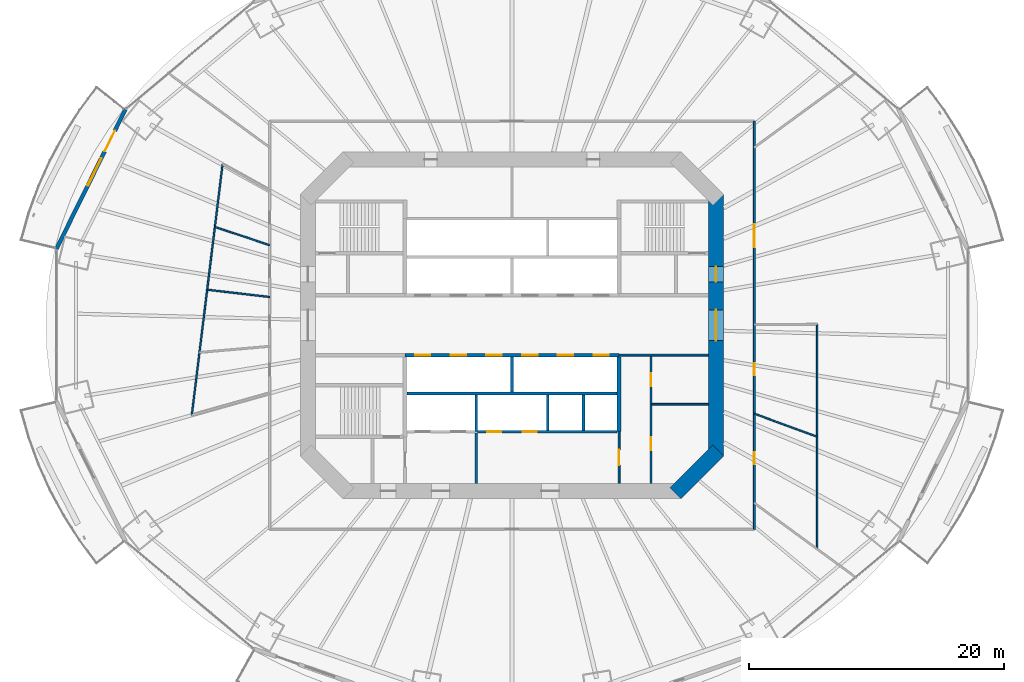
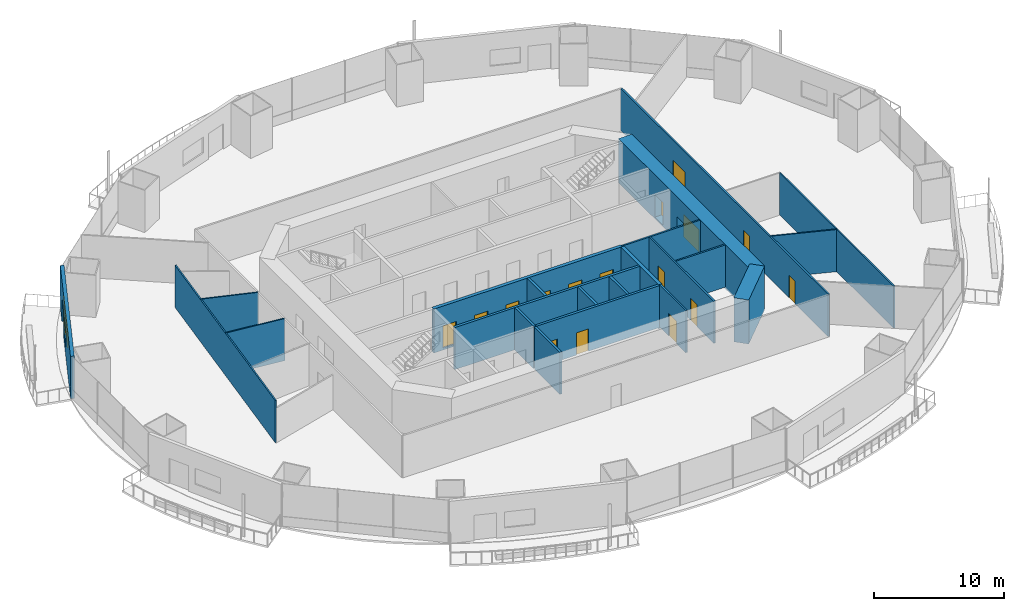
# One storey, part 15 of 23: 22 walls, 17 doors, 1 window, 18 openings.
"""IFC4 building model written with IfcOpenShell, lengths in metres."""

from ifc_helpers import new_model, si_unit, direction, frame, frame_2d, origin, place, context, subcontext, project, spatial, rectangle, extrude, material, layer, layer_set, type_object, element, fill, save


model = new_model("IFC4")

# Units and contexts
model_context = context("Model", 3, precision=1e-05, world=origin(), true_north=direction((0.0, 1.0)))
body_context = subcontext(model_context, "Body", "Model", "MODEL_VIEW")
ifc_project = project(units=[si_unit("LENGTHUNIT", "METRE"), si_unit("AREAUNIT", "SQUARE_METRE"), si_unit("VOLUMEUNIT", "CUBIC_METRE"), si_unit("PLANEANGLEUNIT", "RADIAN"), si_unit("MASSUNIT", "GRAM", prefix="KILO")], contexts=[model_context])

# Site, building, storey
site_placement = place(None, origin())
site = spatial("IfcSite", under=ifc_project, at=site_placement, CompositionType="ELEMENT")
building_placement = place(site_placement, origin())
building = spatial("IfcBuilding", under=site, at=building_placement, Name="Marenthal Gate Tower", CompositionType="ELEMENT")
storey_placement = place(building_placement, frame((0.0, 0.0, 49.60009765625)))
storey = spatial("IfcBuildingStorey", under=building, at=storey_placement, Name="L08", CompositionType="ELEMENT", Elevation=49.60009765625)

# Wall
ifc_material_1 = material(Name="Concrete 60 MPa", Category="concrete")
ifc_layer_1 = layer(ifc_material_1, 1.199951171875)
ifc_layer_set_1 = layer_set([ifc_layer_1], Name="Core shear wall 1200")
wall_type_1 = type_object("IfcWallType", Name="Core shear wall 1200", PredefinedType="SHEAR", material=ifc_layer_set_1)
wall_1_placement = place(storey_placement, frame((12.82421875, -13.17578125, -0.18017578125), z_axis=(0.0, 0.0, 1.0), x_axis=(0.707106781187, 0.707106781187, 0.0)))
element("IfcWall", 1, at=wall_1_placement, inside=storey, type_object=wall_type_1, Name="Core wall 01", PredefinedType="SHEAR", context=body_context, shape_type="SweptSolid", body=[
    extrude(rectangle(XDim=4.73974609375, YDim=1.199951171875, at=frame_2d((2.369873046875, 0.0))), origin(), (0.0, 0.0, 1.0), 4.150146484375),
])

# Wall, openings, doors
wall_2_placement = place(storey_placement, frame((16.0, -10.24853515625, -0.18017578125), z_axis=(0.0, 0.0, 1.0), x_axis=(0.0, 1.0, 0.0)))
wall_2 = element("IfcWall", 2, at=wall_2_placement, inside=storey, type_object=wall_type_1, Name="Core wall 02", PredefinedType="SHEAR", context=body_context, shape_type="SweptSolid", body=[
    extrude(rectangle(XDim=20.4970703125, YDim=1.199951171875, at=frame_2d((10.24853515625, 0.0))), origin(), (0.0, 0.0, 1.0), 4.150146484375),
])
opening_1_placement = place(wall_2_placement, frame((9.048583984375, 0.0, 0.179931640625)))
opening_1 = element("IfcOpeningElement", 3, at=opening_1_placement, cuts=wall_2, Name="Opening D003.02", PredefinedType="OPENING", context=body_context, shape_type="SweptSolid", body=[
    extrude(rectangle(XDim=2.39990234375, YDim=2.10009765625, at=frame_2d((1.199951171875, 1.050048828125))), frame((0.0, 0.60986328125, 0.0), z_axis=(0.0, -1.0, 0.0), x_axis=(1.0, 0.0, 0.0)), (0.0, 0.0, 1.0), 1.219970703125),
])
opening_2_placement = place(wall_2_placement, frame((13.6484375, 0.0, 0.179931640625)))
opening_2 = element("IfcOpeningElement", 4, at=opening_2_placement, cuts=wall_2, Name="Opening D001.05", PredefinedType="OPENING", context=body_context, shape_type="SweptSolid", body=[
    extrude(rectangle(XDim=1.199951171875, YDim=2.10009765625, at=frame_2d((0.60009765625, 1.050048828125))), frame((0.0, 0.60986328125, 0.0), z_axis=(0.0, -1.0, 0.0), x_axis=(1.0, 0.0, 0.0)), (0.0, 0.0, 1.0), 1.219970703125),
])
ifc_material_2 = material(Name="Steel fire door", Category="steel")
door_type_1 = type_object("IfcDoorType", Name="Double fire door FD 45 2400 x 2100", OperationType="DOUBLE_DOOR_SINGLE_SWING", PredefinedType="DOOR", material=ifc_material_2)
door_1_placement = place(opening_1_placement, origin())
door_1 = element("IfcDoor", 5, at=door_1_placement, inside=storey, type_object=door_type_1, Name="Door D003.02", OperationType="DOUBLE_DOOR_SINGLE_SWING", OverallHeight=2.10009765625, OverallWidth=2.39990234375, PredefinedType="DOOR", context=body_context, shape_type="SweptSolid", body=[
    extrude(rectangle(XDim=2.39990234375, YDim=2.10009765625, at=frame_2d((1.199951171875, 1.050048828125))), frame((0.0, 0.02490234375, 0.0), z_axis=(0.0, -1.0, 0.0), x_axis=(1.0, 0.0, 0.0)), (0.0, 0.0, 1.0), 0.050048828125),
])
fill(opening_1, door_1)
ifc_material_3 = material(Name="Steel fire door", Category="steel")
door_type_2 = type_object("IfcDoorType", Name="Fire door FD 90 1200 x 2100", OperationType="NOTDEFINED", PredefinedType="DOOR", material=ifc_material_3)
door_2_placement = place(opening_2_placement, origin())
door_2 = element("IfcDoor", 6, at=door_2_placement, inside=storey, type_object=door_type_2, Name="Door D001.05", OperationType="SINGLE_SWING_RIGHT", OverallHeight=2.10009765625, OverallWidth=1.199951171875, PredefinedType="DOOR", context=body_context, shape_type="SweptSolid", body=[
    extrude(rectangle(XDim=1.199951171875, YDim=2.10009765625, at=frame_2d((0.60009765625, 1.050048828125))), frame((0.0, 0.02490234375, 0.0), z_axis=(0.0, -1.0, 0.0), x_axis=(1.0, 0.0, 0.0)), (0.0, 0.0, 1.0), 0.050048828125),
])
fill(opening_2, door_2)

# Wall
ifc_material_4 = material(Name="Gypsum board on steel studs", Category="steel")
ifc_layer_2 = layer(ifc_material_4, 0.199951171875)
ifc_layer_set_2 = layer_set([ifc_layer_2], Name="Fire lobby wall 200")
wall_type_2 = type_object("IfcWallType", Name="Fire lobby wall 200", PredefinedType="PARTITIONING", material=ifc_layer_set_2)
wall_3_placement = place(storey_placement, frame((-2.800048828125, -12.39990234375, 0.0), z_axis=(0.0, 0.0, 1.0), x_axis=(0.0, 1.0, 0.0)))
element("IfcWall", 7, at=wall_3_placement, inside=storey, type_object=wall_type_2, Name="Fire wall 33", PredefinedType="PARTITIONING", context=body_context, shape_type="SweptSolid", body=[
    extrude(rectangle(XDim=3.93994140625, YDim=0.199951171875, at=frame_2d((1.969970703125, 0.0))), origin(), (0.0, 0.0, 1.0), 3.969970703125),
])

# Wall, openings, doors
ifc_material_5 = material(Name="Concrete 50 MPa", Category="concrete")
ifc_layer_3 = layer(ifc_material_5, 0.300048828125)
ifc_layer_set_3 = layer_set([ifc_layer_3], Name="Hoistway shear wall 300")
wall_type_3 = type_object("IfcWallType", Name="Hoistway shear wall 300", PredefinedType="SHEAR", material=ifc_layer_set_3)
wall_4_placement = place(storey_placement, frame((-8.39990234375, -2.35009765625, -0.18017578125), z_axis=(0.0, 0.0, 1.0), x_axis=(1.0, 0.0, 0.0)))
wall_4 = element("IfcWall", 8, at=wall_4_placement, inside=storey, type_object=wall_type_3, Name="Hoistway wall 16", PredefinedType="SHEAR", context=body_context, shape_type="SweptSolid", body=[
    extrude(rectangle(XDim=16.7998046875, YDim=0.300048828125, at=frame_2d((8.39990234375, 0.0))), origin(), (0.0, 0.0, 1.0), 4.150146484375),
])
opening_3_placement = place(wall_4_placement, frame((0.800048828125, 0.0, 0.179931640625)))
opening_3 = element("IfcOpeningElement", 9, at=opening_3_placement, cuts=wall_4, Name="Opening LD-LP7", PredefinedType="OPENING", context=body_context, shape_type="SweptSolid", body=[
    extrude(rectangle(XDim=1.199951171875, YDim=2.10009765625, at=frame_2d((0.60009765625, 1.050048828125))), frame((0.0, 0.16015625, 0.0), z_axis=(0.0, -1.0, 0.0), x_axis=(1.0, 0.0, 0.0)), (0.0, 0.0, 1.0), 0.320068359375),
])
opening_4_placement = place(wall_4_placement, frame((3.60009765625, 0.0, 0.179931640625)))
opening_4 = element("IfcOpeningElement", 10, at=opening_4_placement, cuts=wall_4, Name="Opening LD-LP8", PredefinedType="OPENING", context=body_context, shape_type="SweptSolid", body=[
    extrude(rectangle(XDim=1.199951171875, YDim=2.10009765625, at=frame_2d((0.60009765625, 1.050048828125))), frame((0.0, 0.16015625, 0.0), z_axis=(0.0, -1.0, 0.0), x_axis=(1.0, 0.0, 0.0)), (0.0, 0.0, 1.0), 0.320068359375),
])
opening_5_placement = place(wall_4_placement, frame((6.39990234375, 0.0, 0.179931640625)))
opening_5 = element("IfcOpeningElement", 11, at=opening_5_placement, cuts=wall_4, Name="Opening LD-LP9", PredefinedType="OPENING", context=body_context, shape_type="SweptSolid", body=[
    extrude(rectangle(XDim=1.199951171875, YDim=2.10009765625, at=frame_2d((0.60009765625, 1.050048828125))), frame((0.0, 0.16015625, 0.0), z_axis=(0.0, -1.0, 0.0), x_axis=(1.0, 0.0, 0.0)), (0.0, 0.0, 1.0), 0.320068359375),
])
opening_6_placement = place(wall_4_placement, frame((9.199951171875, 0.0, 0.179931640625)))
opening_6 = element("IfcOpeningElement", 12, at=opening_6_placement, cuts=wall_4, Name="Opening LD-LP10", PredefinedType="OPENING", context=body_context, shape_type="SweptSolid", body=[
    extrude(rectangle(XDim=1.199951171875, YDim=2.10009765625, at=frame_2d((0.60009765625, 1.050048828125))), frame((0.0, 0.16015625, 0.0), z_axis=(0.0, -1.0, 0.0), x_axis=(1.0, 0.0, 0.0)), (0.0, 0.0, 1.0), 0.320068359375),
])
opening_7_placement = place(wall_4_placement, frame((12.0, 0.0, 0.179931640625)))
opening_7 = element("IfcOpeningElement", 13, at=opening_7_placement, cuts=wall_4, Name="Opening LD-LP11", PredefinedType="OPENING", context=body_context, shape_type="SweptSolid", body=[
    extrude(rectangle(XDim=1.199951171875, YDim=2.10009765625, at=frame_2d((0.60009765625, 1.050048828125))), frame((0.0, 0.16015625, 0.0), z_axis=(0.0, -1.0, 0.0), x_axis=(1.0, 0.0, 0.0)), (0.0, 0.0, 1.0), 0.320068359375),
])
opening_8_placement = place(wall_4_placement, frame((14.800048828125, 0.0, 0.179931640625)))
opening_8 = element("IfcOpeningElement", 14, at=opening_8_placement, cuts=wall_4, Name="Opening LD-LP12", PredefinedType="OPENING", context=body_context, shape_type="SweptSolid", body=[
    extrude(rectangle(XDim=1.199951171875, YDim=2.10009765625, at=frame_2d((0.60009765625, 1.050048828125))), frame((0.0, 0.16015625, 0.0), z_axis=(0.0, -1.0, 0.0), x_axis=(1.0, 0.0, 0.0)), (0.0, 0.0, 1.0), 0.320068359375),
])
ifc_material_6 = material(Name="Stainless steel sliding door", Category="steel")
door_type_3 = type_object("IfcDoorType", Name="Lift landing door FD 90 1200 x 2100", OperationType="DOUBLE_DOOR_SLIDING", PredefinedType="DOOR", material=ifc_material_6)
door_3_placement = place(opening_3_placement, origin())
door_3 = element("IfcDoor", 15, at=door_3_placement, inside=storey, type_object=door_type_3, Name="Lift landing door LP7", OperationType="DOUBLE_DOOR_SLIDING", OverallHeight=2.10009765625, OverallWidth=1.199951171875, PredefinedType="DOOR", context=body_context, shape_type="SweptSolid", body=[
    extrude(rectangle(XDim=1.199951171875, YDim=2.10009765625, at=frame_2d((0.60009765625, 1.050048828125))), frame((0.0, 0.02490234375, 0.0), z_axis=(0.0, -1.0, 0.0), x_axis=(1.0, 0.0, 0.0)), (0.0, 0.0, 1.0), 0.050048828125),
])
fill(opening_3, door_3)
door_4_placement = place(opening_4_placement, origin())
door_4 = element("IfcDoor", 16, at=door_4_placement, inside=storey, type_object=door_type_3, Name="Lift landing door LP8", OperationType="DOUBLE_DOOR_SLIDING", OverallHeight=2.10009765625, OverallWidth=1.199951171875, PredefinedType="DOOR", context=body_context, shape_type="SweptSolid", body=[
    extrude(rectangle(XDim=1.199951171875, YDim=2.10009765625, at=frame_2d((0.60009765625, 1.050048828125))), frame((0.0, 0.02490234375, 0.0), z_axis=(0.0, -1.0, 0.0), x_axis=(1.0, 0.0, 0.0)), (0.0, 0.0, 1.0), 0.050048828125),
])
fill(opening_4, door_4)
door_5_placement = place(opening_5_placement, origin())
door_5 = element("IfcDoor", 17, at=door_5_placement, inside=storey, type_object=door_type_3, Name="Lift landing door LP9", OperationType="DOUBLE_DOOR_SLIDING", OverallHeight=2.10009765625, OverallWidth=1.199951171875, PredefinedType="DOOR", context=body_context, shape_type="SweptSolid", body=[
    extrude(rectangle(XDim=1.199951171875, YDim=2.10009765625, at=frame_2d((0.60009765625, 1.050048828125))), frame((0.0, 0.02490234375, 0.0), z_axis=(0.0, -1.0, 0.0), x_axis=(1.0, 0.0, 0.0)), (0.0, 0.0, 1.0), 0.050048828125),
])
fill(opening_5, door_5)
door_6_placement = place(opening_6_placement, origin())
door_6 = element("IfcDoor", 18, at=door_6_placement, inside=storey, type_object=door_type_3, Name="Lift landing door LP10", OperationType="DOUBLE_DOOR_SLIDING", OverallHeight=2.10009765625, OverallWidth=1.199951171875, PredefinedType="DOOR", context=body_context, shape_type="SweptSolid", body=[
    extrude(rectangle(XDim=1.199951171875, YDim=2.10009765625, at=frame_2d((0.60009765625, 1.050048828125))), frame((0.0, 0.02490234375, 0.0), z_axis=(0.0, -1.0, 0.0), x_axis=(1.0, 0.0, 0.0)), (0.0, 0.0, 1.0), 0.050048828125),
])
fill(opening_6, door_6)
door_7_placement = place(opening_7_placement, origin())
door_7 = element("IfcDoor", 19, at=door_7_placement, inside=storey, type_object=door_type_3, Name="Lift landing door LP11", OperationType="DOUBLE_DOOR_SLIDING", OverallHeight=2.10009765625, OverallWidth=1.199951171875, PredefinedType="DOOR", context=body_context, shape_type="SweptSolid", body=[
    extrude(rectangle(XDim=1.199951171875, YDim=2.10009765625, at=frame_2d((0.60009765625, 1.050048828125))), frame((0.0, 0.02490234375, 0.0), z_axis=(0.0, -1.0, 0.0), x_axis=(1.0, 0.0, 0.0)), (0.0, 0.0, 1.0), 0.050048828125),
])
fill(opening_7, door_7)
door_8_placement = place(opening_8_placement, origin())
door_8 = element("IfcDoor", 20, at=door_8_placement, inside=storey, type_object=door_type_3, Name="Lift landing door LP12", OperationType="DOUBLE_DOOR_SLIDING", OverallHeight=2.10009765625, OverallWidth=1.199951171875, PredefinedType="DOOR", context=body_context, shape_type="SweptSolid", body=[
    extrude(rectangle(XDim=1.199951171875, YDim=2.10009765625, at=frame_2d((0.60009765625, 1.050048828125))), frame((0.0, 0.02490234375, 0.0), z_axis=(0.0, -1.0, 0.0), x_axis=(1.0, 0.0, 0.0)), (0.0, 0.0, 1.0), 0.050048828125),
])
fill(opening_8, door_8)

# Wall
wall_5_placement = place(storey_placement, frame((8.39990234375, -8.35009765625, -0.18017578125), z_axis=(0.0, 0.0, 1.0), x_axis=(0.0, 1.0, 0.0)))
element("IfcWall", 21, at=wall_5_placement, inside=storey, type_object=wall_type_3, Name="Hoistway wall 42", PredefinedType="SHEAR", context=body_context, shape_type="SweptSolid", body=[
    extrude(rectangle(XDim=5.85009765625, YDim=0.300048828125, at=frame_2d((2.925048828125, 0.0))), origin(), (0.0, 0.0, 1.0), 4.150146484375),
])

# Wall, openings, doors
ifc_material_7 = material(Name="Concrete 40 MPa", Category="concrete")
ifc_layer_4 = layer(ifc_material_7, 0.219970703125)
ifc_layer_set_4 = layer_set([ifc_layer_4], Name="Hoistway wall 220")
wall_type_4 = type_object("IfcWallType", Name="Hoistway wall 220", PredefinedType="STANDARD", material=ifc_layer_set_4)
wall_6_placement = place(storey_placement, frame((-2.68994140625, -8.35009765625, 0.0), z_axis=(0.0, 0.0, 1.0), x_axis=(1.0, 0.0, 0.0)))
wall_6 = element("IfcWall", 22, at=wall_6_placement, inside=storey, type_object=wall_type_4, Name="Hoistway wall 11", PredefinedType="STANDARD", context=body_context, shape_type="SweptSolid", body=[
    extrude(rectangle(XDim=10.93994140625, YDim=0.219970703125, at=frame_2d((5.469970703125, 0.0))), origin(), (0.0, 0.0, 1.0), 3.969970703125),
])
opening_9_placement = place(wall_6_placement, frame((0.739990234375, 0.0, 0.0)))
opening_9 = element("IfcOpeningElement", 23, at=opening_9_placement, cuts=wall_6, Name="Opening LD-SV1", PredefinedType="OPENING", context=body_context, shape_type="SweptSolid", body=[
    extrude(rectangle(XDim=1.10009765625, YDim=2.10009765625, at=frame_2d((0.550048828125, 1.050048828125))), frame((0.0, 0.1201171875, 0.0), z_axis=(0.0, -1.0, 0.0), x_axis=(1.0, 0.0, 0.0)), (0.0, 0.0, 1.0), 0.239990234375),
])
opening_10_placement = place(wall_6_placement, frame((3.5400390625, 0.0, 0.0)))
opening_10 = element("IfcOpeningElement", 24, at=opening_10_placement, cuts=wall_6, Name="Opening LD-SV2", PredefinedType="OPENING", context=body_context, shape_type="SweptSolid", body=[
    extrude(rectangle(XDim=1.10009765625, YDim=2.10009765625, at=frame_2d((0.550048828125, 1.050048828125))), frame((0.0, 0.1201171875, 0.0), z_axis=(0.0, -1.0, 0.0), x_axis=(1.0, 0.0, 0.0)), (0.0, 0.0, 1.0), 0.239990234375),
])
ifc_material_8 = material(Name="Stainless steel sliding door", Category="steel")
door_type_4 = type_object("IfcDoorType", Name="Lift landing door FD 90 1100 x 2100", OperationType="DOUBLE_DOOR_SLIDING", PredefinedType="DOOR", material=ifc_material_8)
door_9_placement = place(opening_9_placement, origin())
door_9 = element("IfcDoor", 25, at=door_9_placement, inside=storey, type_object=door_type_4, Name="Lift landing door SV1", OperationType="DOUBLE_DOOR_SLIDING", OverallHeight=2.10009765625, OverallWidth=1.10009765625, PredefinedType="DOOR", context=body_context, shape_type="SweptSolid", body=[
    extrude(rectangle(XDim=1.10009765625, YDim=2.10009765625, at=frame_2d((0.550048828125, 1.050048828125))), frame((0.0, 0.02490234375, 0.0), z_axis=(0.0, -1.0, 0.0), x_axis=(1.0, 0.0, 0.0)), (0.0, 0.0, 1.0), 0.050048828125),
])
fill(opening_9, door_9)
door_10_placement = place(opening_10_placement, origin())
door_10 = element("IfcDoor", 26, at=door_10_placement, inside=storey, type_object=door_type_4, Name="Lift landing door SV2", OperationType="DOUBLE_DOOR_SLIDING", OverallHeight=2.10009765625, OverallWidth=1.10009765625, PredefinedType="DOOR", context=body_context, shape_type="SweptSolid", body=[
    extrude(rectangle(XDim=1.10009765625, YDim=2.10009765625, at=frame_2d((0.550048828125, 1.050048828125))), frame((0.0, 0.02490234375, 0.0), z_axis=(0.0, -1.0, 0.0), x_axis=(1.0, 0.0, 0.0)), (0.0, 0.0, 1.0), 0.050048828125),
])
fill(opening_10, door_10)

# Walls
wall_7_placement = place(storey_placement, frame((-8.25, -5.35009765625, 0.0), z_axis=(0.0, 0.0, 1.0), x_axis=(1.0, 0.0, 0.0)))
element("IfcWall", 27, at=wall_7_placement, inside=storey, type_object=wall_type_4, Name="Hoistway wall 13", PredefinedType="STANDARD", context=body_context, shape_type="SweptSolid", body=[
    extrude(rectangle(XDim=16.5, YDim=0.219970703125, at=frame_2d((8.25, 0.0))), origin(), (0.0, 0.0, 1.0), 3.969970703125),
])
wall_8_placement = place(storey_placement, frame((-2.800048828125, -8.35009765625, 0.0), z_axis=(0.0, 0.0, 1.0), x_axis=(0.0, 1.0, 0.0)))
element("IfcWall", 28, at=wall_8_placement, inside=storey, type_object=wall_type_4, Name="Hoistway wall 34", PredefinedType="STANDARD", context=body_context, shape_type="SweptSolid", body=[
    extrude(rectangle(XDim=2.89013671875, YDim=0.219970703125, at=frame_2d((1.445068359375, 0.0))), origin(), (0.0, 0.0, 1.0), 3.969970703125),
])
wall_9_placement = place(storey_placement, frame((0.0, -5.239990234375, 0.0), z_axis=(0.0, 0.0, 1.0), x_axis=(0.0, 1.0, 0.0)))
element("IfcWall", 29, at=wall_9_placement, inside=storey, type_object=wall_type_4, Name="Hoistway wall 35", PredefinedType="STANDARD", context=body_context, shape_type="SweptSolid", body=[
    extrude(rectangle(XDim=2.739990234375, YDim=0.219970703125, at=frame_2d((1.3701171875, 0.0))), origin(), (0.0, 0.0, 1.0), 3.969970703125),
])
for number, where, z_axis, x_axis, name in (
    (30, (2.800048828125, -8.239990234375, 0.0), (0.0, 0.0, 1.0), (0.0, 1.0, 0.0), "Hoistway wall 38"),
    (31, (5.60009765625, -8.239990234375, 0.0), (0.0, 0.0, 1.0), (0.0, 1.0, 0.0), "Hoistway wall 40"),
):
    element("IfcWall", number, at=place(storey_placement, frame(where, z_axis=z_axis, x_axis=x_axis)), inside=storey, type_object=wall_type_4, Name=name, PredefinedType="STANDARD", context=body_context, shape_type="SweptSolid", body=[
        extrude(rectangle(XDim=2.780029296875, YDim=0.219970703125, at=frame_2d((1.39013671875, 0.0))), origin(), (0.0, 0.0, 1.0), 3.969970703125),
    ])
ifc_material_9 = material(Name="Gypsum board on steel studs", Category="steel")
ifc_layer_5 = layer(ifc_material_9, 0.1201171875)
ifc_layer_set_5 = layer_set([ifc_layer_5], Name="Partition 120")
wall_type_5 = type_object("IfcWallType", Name="Partition 120", PredefinedType="PARTITIONING", material=ifc_layer_set_5)
wall_10_placement = place(storey_placement, frame((-23.902587890625, 2.78369140625, 0.0), z_axis=(0.0, 0.0, 1.0), x_axis=(0.993284661568, -0.115696072078, 0.0)))
element("IfcWall", 32, at=wall_10_placement, inside=storey, type_object=wall_type_5, Name="Partition wall 48", PredefinedType="PARTITIONING", context=body_context, shape_type="SweptSolid", body=[
    extrude(rectangle(XDim=4.935791015625, YDim=0.1201171875, at=frame_2d((2.4677734375, 0.0))), origin(), (0.0, 0.0, 1.0), 3.969970703125),
])
wall_11_placement = place(storey_placement, frame((-23.299072265625, 7.701416015625, 0.0), z_axis=(0.0, 0.0, 1.0), x_axis=(0.949467582408, -0.313865114271, 0.0)))
element("IfcWall", 33, at=wall_11_placement, inside=storey, type_object=wall_type_5, Name="Partition wall 49", PredefinedType="PARTITIONING", context=body_context, shape_type="SweptSolid", body=[
    extrude(rectangle(XDim=4.52783203125, YDim=0.1201171875, at=frame_2d((2.263916015625, 0.0))), origin(), (0.0, 0.0, 1.0), 3.969970703125),
])
wall_12_placement = place(storey_placement, frame((-22.6953125, 12.618896484375, 0.0), z_axis=(0.0, 0.0, 1.0), x_axis=(-0.121832964423, -0.992550617742, 0.0)))
element("IfcWall", 34, at=wall_12_placement, inside=storey, type_object=wall_type_5, Name="Partition wall 50", PredefinedType="PARTITIONING", context=body_context, shape_type="SweptSolid", body=[
    extrude(rectangle(XDim=19.818603515625, YDim=0.1201171875, at=frame_2d((9.9091796875, 0.0))), origin(), (0.0, 0.0, 1.0), 3.969970703125),
])
wall_13_placement = place(storey_placement, frame((23.921630859375, -17.552490234375, 0.0), z_axis=(0.0, 0.0, 1.0), x_axis=(0.0, 1.0, 0.0)))
element("IfcWall", 35, at=wall_13_placement, inside=storey, type_object=wall_type_5, Name="Partition wall 60", PredefinedType="PARTITIONING", context=body_context, shape_type="SweptSolid", body=[
    extrude(rectangle(XDim=17.630615234375, YDim=0.1201171875, at=frame_2d((8.8154296875, 0.0))), origin(), (0.0, 0.0, 1.0), 3.969970703125),
])
wall_14_placement = place(storey_placement, frame((23.921630859375, -8.7373046875, 0.0), z_axis=(0.0, 0.0, 1.0), x_axis=(-0.939306799008, 0.343078325368, 0.0)))
element("IfcWall", 36, at=wall_14_placement, inside=storey, type_object=wall_type_5, Name="Partition wall 61", PredefinedType="PARTITIONING", context=body_context, shape_type="SweptSolid", body=[
    extrude(rectangle(XDim=5.23974609375, YDim=0.1201171875, at=frame_2d((2.619873046875, 0.0))), origin(), (0.0, 0.0, 1.0), 3.969970703125),
])
ifc_material_10 = material(Name="Gypsum board on steel studs", Category="steel")
ifc_layer_6 = layer(ifc_material_10, 0.14990234375)
ifc_layer_set_6 = layer_set([ifc_layer_6], Name="Partition 150")
wall_type_6 = type_object("IfcWallType", Name="Partition 150", PredefinedType="PARTITIONING", material=ifc_layer_set_6)
wall_15_placement = place(storey_placement, frame((10.97509765625, -6.199951171875, 0.0), z_axis=(0.0, 0.0, 1.0), x_axis=(1.0, 0.0, 0.0)))
element("IfcWall", 37, at=wall_15_placement, inside=storey, type_object=wall_type_6, Name="Partition wall 12", PredefinedType="PARTITIONING", context=body_context, shape_type="SweptSolid", body=[
    extrude(rectangle(XDim=4.4248046875, YDim=0.14990234375, at=frame_2d((2.21240234375, 0.0))), origin(), (0.0, 0.0, 1.0), 3.969970703125),
])
wall_16_placement = place(storey_placement, frame((8.39990234375, -2.35009765625, 0.0), z_axis=(0.0, 0.0, 1.0), x_axis=(1.0, 0.0, 0.0)))
element("IfcWall", 38, at=wall_16_placement, inside=storey, type_object=wall_type_6, Name="Partition wall 17", PredefinedType="PARTITIONING", context=body_context, shape_type="SweptSolid", body=[
    extrude(rectangle(XDim=7.0, YDim=0.14990234375, at=frame_2d((3.5, 0.0))), origin(), (0.0, 0.0, 1.0), 3.969970703125),
])

# Wall, opening, door
wall_17_placement = place(storey_placement, frame((8.39990234375, -12.39990234375, 0.0), z_axis=(0.0, 0.0, 1.0), x_axis=(0.0, 1.0, 0.0)))
wall_17 = element("IfcWall", 39, at=wall_17_placement, inside=storey, type_object=wall_type_6, Name="Partition wall 41", PredefinedType="PARTITIONING", context=body_context, shape_type="SweptSolid", body=[
    extrude(rectangle(XDim=4.0498046875, YDim=0.14990234375, at=frame_2d((2.02490234375, 0.0))), origin(), (0.0, 0.0, 1.0), 3.969970703125),
])
opening_11_placement = place(wall_17_placement, frame((1.425048828125, 0.0, 0.0)))
opening_11 = element("IfcOpeningElement", 40, at=opening_11_placement, cuts=wall_17, Name="Opening D006.01", PredefinedType="OPENING", context=body_context, shape_type="SweptSolid", body=[
    extrude(rectangle(XDim=1.199951171875, YDim=2.10009765625, at=frame_2d((0.60009765625, 1.050048828125))), frame((0.0, 0.0849609375, 0.0), z_axis=(0.0, -1.0, 0.0), x_axis=(1.0, 0.0, 0.0)), (0.0, 0.0, 1.0), 0.169921875),
])
ifc_material_11 = material(Name="Steel fire door", Category="steel")
door_type_5 = type_object("IfcDoorType", Name="Fire door FD 45 1200 x 2100", OperationType="NOTDEFINED", PredefinedType="DOOR", material=ifc_material_11)
door_11_placement = place(opening_11_placement, frame((1.199951171875, 0.0, 0.0), z_axis=(0.0, 0.0, 1.0), x_axis=(-1.0, 0.0, 0.0)))
door_11 = element("IfcDoor", 41, at=door_11_placement, inside=storey, type_object=door_type_5, Name="Door D006.01", OperationType="SINGLE_SWING_LEFT", OverallHeight=2.10009765625, OverallWidth=1.199951171875, PredefinedType="DOOR", context=body_context, shape_type="SweptSolid", body=[
    extrude(rectangle(XDim=1.199951171875, YDim=2.10009765625, at=frame_2d((0.60009765625, 1.050048828125))), frame((0.0, 0.02490234375, 0.0), z_axis=(0.0, -1.0, 0.0), x_axis=(1.0, 0.0, 0.0)), (0.0, 0.0, 1.0), 0.050048828125),
])
fill(opening_11, door_11)

# Wall, openings, doors
wall_18_placement = place(storey_placement, frame((10.89990234375, -12.39990234375, 0.0), z_axis=(0.0, 0.0, 1.0), x_axis=(0.0, 1.0, 0.0)))
wall_18 = element("IfcWall", 42, at=wall_18_placement, inside=storey, type_object=wall_type_6, Name="Partition wall 45", PredefinedType="PARTITIONING", context=body_context, shape_type="SweptSolid", body=[
    extrude(rectangle(XDim=9.974853515625, YDim=0.14990234375, at=frame_2d((4.9873046875, 0.0))), origin(), (0.0, 0.0, 1.0), 3.969970703125),
])
opening_12_placement = place(wall_18_placement, frame((7.625, 0.0, 0.0)))
opening_12 = element("IfcOpeningElement", 43, at=opening_12_placement, cuts=wall_18, Name="Opening D005.03", PredefinedType="OPENING", context=body_context, shape_type="SweptSolid", body=[
    extrude(rectangle(XDim=1.0, YDim=2.10009765625, at=frame_2d((0.5, 1.050048828125))), frame((0.0, 0.0849609375, 0.0), z_axis=(0.0, -1.0, 0.0), x_axis=(1.0, 0.0, 0.0)), (0.0, 0.0, 1.0), 0.169921875),
])
opening_13_placement = place(wall_18_placement, frame((2.60009765625, 0.0, 0.0)))
opening_13 = element("IfcOpeningElement", 44, at=opening_13_placement, cuts=wall_18, Name="Opening D005.04", PredefinedType="OPENING", context=body_context, shape_type="SweptSolid", body=[
    extrude(rectangle(XDim=1.0, YDim=2.10009765625, at=frame_2d((0.5, 1.050048828125))), frame((0.0, 0.0849609375, 0.0), z_axis=(0.0, -1.0, 0.0), x_axis=(1.0, 0.0, 0.0)), (0.0, 0.0, 1.0), 0.169921875),
])
ifc_material_12 = material(Name="Steel fire door", Category="steel")
door_type_6 = type_object("IfcDoorType", Name="Fire door FD 45 1000 x 2100", OperationType="NOTDEFINED", PredefinedType="DOOR", material=ifc_material_12)
door_12_placement = place(opening_12_placement, frame((1.0, 0.0, 0.0), z_axis=(0.0, 0.0, 1.0), x_axis=(-1.0, 0.0, 0.0)))
door_12 = element("IfcDoor", 45, at=door_12_placement, inside=storey, type_object=door_type_6, Name="Door D005.03", OperationType="SINGLE_SWING_LEFT", OverallHeight=2.10009765625, OverallWidth=1.0, PredefinedType="DOOR", context=body_context, shape_type="SweptSolid", body=[
    extrude(rectangle(XDim=1.0, YDim=2.10009765625, at=frame_2d((0.5, 1.050048828125))), frame((0.0, 0.02490234375, 0.0), z_axis=(0.0, -1.0, 0.0), x_axis=(1.0, 0.0, 0.0)), (0.0, 0.0, 1.0), 0.050048828125),
])
fill(opening_12, door_12)
door_13_placement = place(opening_13_placement, frame((1.0, 0.0, 0.0), z_axis=(0.0, 0.0, 1.0), x_axis=(-1.0, 0.0, 0.0)))
door_13 = element("IfcDoor", 46, at=door_13_placement, inside=storey, type_object=door_type_6, Name="Door D005.04", OperationType="SINGLE_SWING_LEFT", OverallHeight=2.10009765625, OverallWidth=1.0, PredefinedType="DOOR", context=body_context, shape_type="SweptSolid", body=[
    extrude(rectangle(XDim=1.0, YDim=2.10009765625, at=frame_2d((0.5, 1.050048828125))), frame((0.0, 0.02490234375, 0.0), z_axis=(0.0, -1.0, 0.0), x_axis=(1.0, 0.0, 0.0)), (0.0, 0.0, 1.0), 0.050048828125),
])
fill(opening_13, door_13)

wall_19_placement = place(storey_placement, frame((19.0, 16.0, 0.0), z_axis=(0.0, 0.0, 1.0), x_axis=(0.0, -1.0, 0.0)))
wall_19 = element("IfcWall", 47, at=wall_19_placement, inside=storey, type_object=wall_type_6, Name="Partition wall 59", PredefinedType="PARTITIONING", context=body_context, shape_type="SweptSolid", body=[
    extrude(rectangle(XDim=32.0, YDim=0.14990234375, at=frame_2d((16.0, 0.0))), origin(), (0.0, 0.0, 1.0), 3.969970703125),
])
opening_14_placement = place(wall_19_placement, frame((25.966064453125, 0.0, 0.0)))
opening_14 = element("IfcOpeningElement", 48, at=opening_14_placement, cuts=wall_19, Name="Opening D016.06", PredefinedType="OPENING", context=body_context, shape_type="SweptSolid", body=[
    extrude(rectangle(XDim=0.949951171875, YDim=2.10009765625, at=frame_2d((0.47509765625, 1.050048828125))), frame((0.0, 0.0849609375, 0.0), z_axis=(0.0, -1.0, 0.0), x_axis=(1.0, 0.0, 0.0)), (0.0, 0.0, 1.0), 0.169921875),
])
opening_15_placement = place(wall_19_placement, frame((18.964111328125, 0.0, 0.0)))
opening_15 = element("IfcOpeningElement", 49, at=opening_15_placement, cuts=wall_19, Name="Opening D016.07", PredefinedType="OPENING", context=body_context, shape_type="SweptSolid", body=[
    extrude(rectangle(XDim=0.949951171875, YDim=2.10009765625, at=frame_2d((0.47509765625, 1.050048828125))), frame((0.0, 0.0849609375, 0.0), z_axis=(0.0, -1.0, 0.0), x_axis=(1.0, 0.0, 0.0)), (0.0, 0.0, 1.0), 0.169921875),
])
opening_16_placement = place(wall_19_placement, frame((8.097900390625, 0.0, 0.0)))
opening_16 = element("IfcOpeningElement", 50, at=opening_16_placement, cuts=wall_19, Name="Opening D014.02", PredefinedType="OPENING", context=body_context, shape_type="SweptSolid", body=[
    extrude(rectangle(XDim=1.800048828125, YDim=2.10009765625, at=frame_2d((0.89990234375, 1.050048828125))), frame((0.0, 0.0849609375, 0.0), z_axis=(0.0, -1.0, 0.0), x_axis=(1.0, 0.0, 0.0)), (0.0, 0.0, 1.0), 0.169921875),
])
ifc_material_13 = material(Name="Timber door", Category="wood")
door_type_7 = type_object("IfcDoorType", Name="Door 950 x 2100", OperationType="NOTDEFINED", PredefinedType="DOOR", material=ifc_material_13)
door_14_placement = place(opening_14_placement, origin())
door_14 = element("IfcDoor", 51, at=door_14_placement, inside=storey, type_object=door_type_7, Name="Door D016.06", OperationType="SINGLE_SWING_RIGHT", OverallHeight=2.10009765625, OverallWidth=0.949951171875, PredefinedType="DOOR", context=body_context, shape_type="SweptSolid", body=[
    extrude(rectangle(XDim=0.949951171875, YDim=2.10009765625, at=frame_2d((0.47509765625, 1.050048828125))), frame((0.0, 0.02490234375, 0.0), z_axis=(0.0, -1.0, 0.0), x_axis=(1.0, 0.0, 0.0)), (0.0, 0.0, 1.0), 0.050048828125),
])
fill(opening_14, door_14)
door_15_placement = place(opening_15_placement, origin())
door_15 = element("IfcDoor", 52, at=door_15_placement, inside=storey, type_object=door_type_7, Name="Door D016.07", OperationType="SINGLE_SWING_RIGHT", OverallHeight=2.10009765625, OverallWidth=0.949951171875, PredefinedType="DOOR", context=body_context, shape_type="SweptSolid", body=[
    extrude(rectangle(XDim=0.949951171875, YDim=2.10009765625, at=frame_2d((0.47509765625, 1.050048828125))), frame((0.0, 0.02490234375, 0.0), z_axis=(0.0, -1.0, 0.0), x_axis=(1.0, 0.0, 0.0)), (0.0, 0.0, 1.0), 0.050048828125),
])
fill(opening_15, door_15)
ifc_material_14 = material(Name="Timber door", Category="wood")
door_type_8 = type_object("IfcDoorType", Name="Double door 1800 x 2100", OperationType="DOUBLE_DOOR_SINGLE_SWING", PredefinedType="DOOR", material=ifc_material_14)
door_16_placement = place(opening_16_placement, origin())
door_16 = element("IfcDoor", 53, at=door_16_placement, inside=storey, type_object=door_type_8, Name="Door D014.02", OperationType="DOUBLE_DOOR_SINGLE_SWING", OverallHeight=2.10009765625, OverallWidth=1.800048828125, PredefinedType="DOOR", context=body_context, shape_type="SweptSolid", body=[
    extrude(rectangle(XDim=1.800048828125, YDim=2.10009765625, at=frame_2d((0.89990234375, 1.050048828125))), frame((0.0, 0.02490234375, 0.0), z_axis=(0.0, -1.0, 0.0), x_axis=(1.0, 0.0, 0.0)), (0.0, 0.0, 1.0), 0.050048828125),
])
fill(opening_16, door_16)

# Wall, openings, door, window
ifc_material_15 = material(Name="Terracotta cladding on insulated concrete-block backing", Category="masonry")
ifc_layer_7 = layer(ifc_material_15, 0.300048828125)
ifc_layer_set_7 = layer_set([ifc_layer_7], Name="Terracotta facade wall 300")
wall_type_7 = type_object("IfcWallType", Name="Terracotta facade wall 300", PredefinedType="SOLIDWALL", material=ifc_layer_set_7)
wall_20_placement = place(storey_placement, frame((-30.297119140625, 16.953125, 0.0), z_axis=(0.0, 0.0, 1.0), x_axis=(-0.443341984676, -0.89635254483, 0.0)))
wall_20 = element("IfcWall", 54, at=wall_20_placement, inside=storey, type_object=wall_type_7, Name="Terracotta facade wall L08 bay 7", PredefinedType="SOLIDWALL", context=body_context, shape_type="SweptSolid", body=[
    extrude(rectangle(XDim=12.27197265625, YDim=0.300048828125, at=frame_2d((6.135986328125, 0.0))), origin(), (0.0, 0.0, 1.0), 3.969970703125),
])
opening_17_placement = place(wall_20_placement, frame((1.89990234375, 0.0, 0.0)))
opening_17 = element("IfcOpeningElement", 55, at=opening_17_placement, cuts=wall_20, Name="Opening BD-L08-07", PredefinedType="OPENING", context=body_context, shape_type="SweptSolid", body=[
    extrude(rectangle(XDim=1.800048828125, YDim=2.39990234375, at=frame_2d((0.89990234375, 1.199951171875))), frame((0.0, 0.16015625, 0.0), z_axis=(0.0, -1.0, 0.0), x_axis=(1.0, 0.0, 0.0)), (0.0, 0.0, 1.0), 0.320068359375),
])
opening_18_placement = place(wall_20_placement, frame((4.300048828125, 0.0, 0.89990234375)))
opening_18 = element("IfcOpeningElement", 56, at=opening_18_placement, cuts=wall_20, Name="Opening WN1-L08-07", PredefinedType="OPENING", context=body_context, shape_type="SweptSolid", body=[
    extrude(rectangle(XDim=2.39990234375, YDim=1.5, at=frame_2d((1.199951171875, 0.75))), frame((0.0, 0.16015625, 0.0), z_axis=(0.0, -1.0, 0.0), x_axis=(1.0, 0.0, 0.0)), (0.0, 0.0, 1.0), 0.320068359375),
])
ifc_material_16 = material(Name="Aluminium and glass", Category="aluminium")
door_type_9 = type_object("IfcDoorType", Name="Balcony door 1800x2400", OperationType="DOUBLE_DOOR_SINGLE_SWING", PredefinedType="DOOR", material=ifc_material_16)
door_17_placement = place(opening_17_placement, origin())
door_17 = element("IfcDoor", 57, at=door_17_placement, inside=storey, type_object=door_type_9, Name="Balcony door L08 bay 7", OperationType="SINGLE_SWING_LEFT", OverallHeight=2.39990234375, OverallWidth=1.800048828125, PredefinedType="DOOR", context=body_context, shape_type="SweptSolid", body=[
    extrude(rectangle(XDim=1.800048828125, YDim=2.39990234375, at=frame_2d((0.89990234375, 1.199951171875))), frame((0.0, 0.02490234375, 0.0), z_axis=(0.0, -1.0, 0.0), x_axis=(1.0, 0.0, 0.0)), (0.0, 0.0, 1.0), 0.050048828125),
])
fill(opening_17, door_17)
ifc_material_17 = material(Name="Aluminium and glass", Category="aluminium")
window_type = type_object("IfcWindowType", Name="Window 2400x1500", PartitioningType="TRIPLE_PANEL_VERTICAL", PredefinedType="WINDOW", material=ifc_material_17)
window_placement = place(opening_18_placement, origin())
window = element("IfcWindow", 58, at=window_placement, inside=storey, type_object=window_type, Name="Window L08 bay 7", OverallHeight=1.5, OverallWidth=2.39990234375, PartitioningType="SINGLE_PANEL", PredefinedType="WINDOW", context=body_context, shape_type="SweptSolid", body=[
    extrude(rectangle(XDim=2.39990234375, YDim=1.5, at=frame_2d((1.199951171875, 0.75))), frame((0.0, 0.030029296875, 0.0), z_axis=(0.0, -1.0, 0.0), x_axis=(1.0, 0.0, 0.0)), (0.0, 0.0, 1.0), 0.06005859375),
])
fill(opening_18, window)

save(model, "model.ifc")
